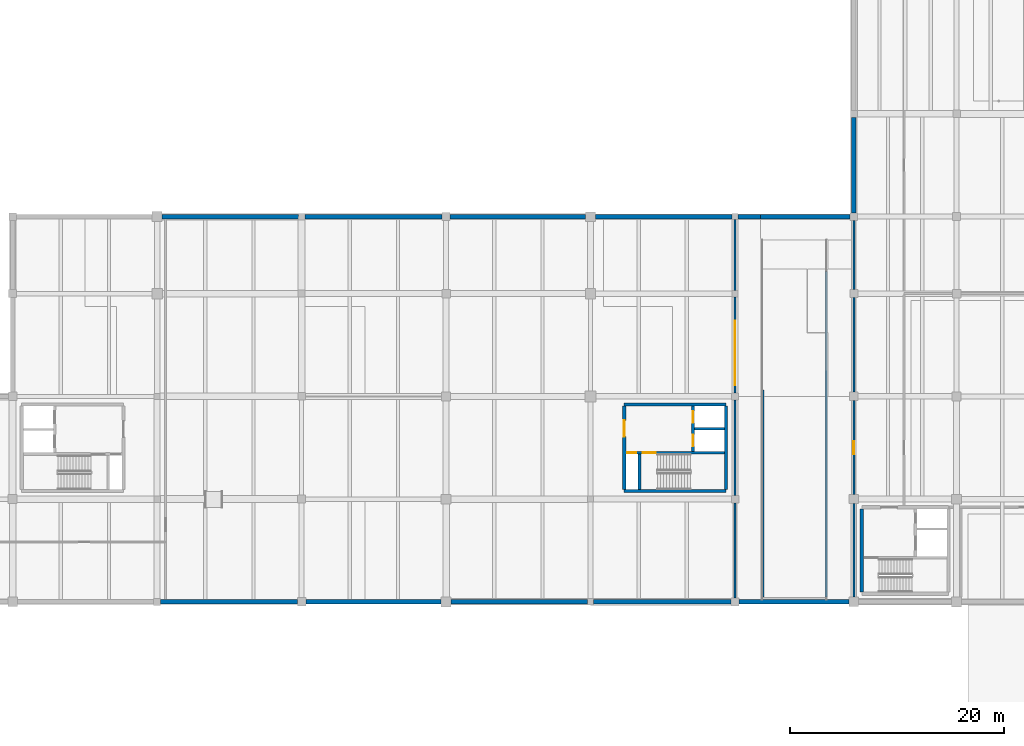
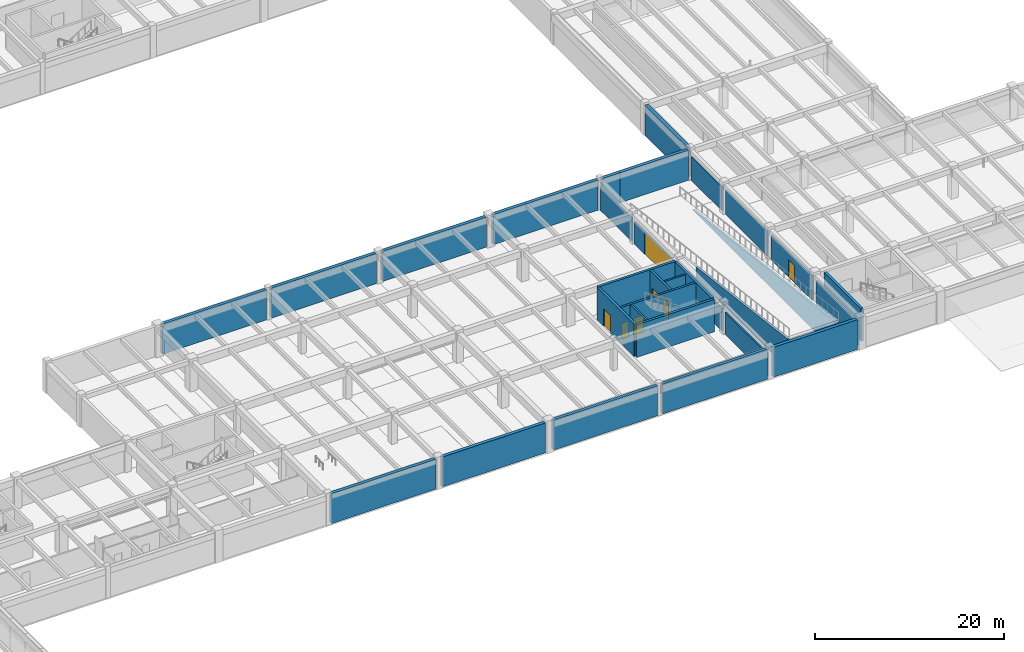
# One storey, part 11 of 28: 31 walls, 7 doors, 7 openings.
"""IFC4 building model written with IfcOpenShell, lengths in metres."""

from ifc_helpers import new_model, si_unit, direction, frame, frame_2d, origin, place, context, subcontext, project, spatial, polyline, rectangle, outline, extrude, material, layer, layer_set, type_object, element, fill, save


model = new_model("IFC4")

# Units and contexts
model_context = context("Model", 3, precision=1e-05, world=origin(), true_north=direction((0.0, 1.0)))
body_context = subcontext(model_context, "Body", "Model", "MODEL_VIEW")
ifc_project = project(units=[si_unit("LENGTHUNIT", "METRE"), si_unit("AREAUNIT", "SQUARE_METRE"), si_unit("VOLUMEUNIT", "CUBIC_METRE"), si_unit("PLANEANGLEUNIT", "RADIAN"), si_unit("MASSUNIT", "GRAM", prefix="KILO")], contexts=[model_context])

# Site, building, storey
site_placement = place(None, origin())
site = spatial("IfcSite", under=ifc_project, at=site_placement, CompositionType="ELEMENT")
building_placement = place(site_placement, origin())
building = spatial("IfcBuilding", under=site, at=building_placement, Name="Fikremerkos Civic Library", CompositionType="ELEMENT")
storey_placement = place(building_placement, frame((0.0, 0.0, -4.199951171875)))
storey = spatial("IfcBuildingStorey", under=building, at=storey_placement, Name="B01", CompositionType="ELEMENT", Elevation=-4.199951171875)

# Walls
ifc_material_1 = material(Name="Concrete C40/50", Category="concrete")
ifc_layer_1 = layer(ifc_material_1, 0.39990234375, Name="Concrete C40/50")
ifc_layer_set_1 = layer_set([ifc_layer_1], Name="Concrete C40/50")
wall_type_1 = type_object("IfcWallType", Name="Basement retaining wall BRW-02 400", PredefinedType="USERDEFINED", material=ifc_layer_set_1)
wall_1_placement = place(storey_placement, frame((60.173095703125, 48.0, 0.0), z_axis=(0.0, 0.0, 1.0), x_axis=(1.0, 0.0, 0.0)))
element("IfcWall", 1, at=wall_1_placement, inside=storey, type_object=wall_type_1, Name="Basement retaining wall BRW-02 B01 #110", ObjectType="RETAINING WALL", PredefinedType="USERDEFINED", context=body_context, shape_type="SweptSolid", body=[
    extrude(rectangle(XDim=12.72900390625, YDim=0.39990234375, at=frame_2d((6.364501953125, 0.0))), origin(), (0.0, 0.0, 1.0), 3.8798828125),
])
wall_2_placement = place(storey_placement, frame((73.498046875, 48.0, 0.0), z_axis=(0.0, 0.0, 1.0), x_axis=(1.0, 0.0, 0.0)))
element("IfcWall", 2, at=wall_2_placement, inside=storey, type_object=wall_type_1, Name="Basement retaining wall BRW-02 B01 #111", ObjectType="RETAINING WALL", PredefinedType="USERDEFINED", context=body_context, shape_type="SweptSolid", body=[
    extrude(rectangle(XDim=12.828857421875, YDim=0.39990234375, at=frame_2d((6.41455078125, 0.0))), origin(), (0.0, 0.0, 1.0), 3.8798828125),
])
wall_3_placement = place(storey_placement, frame((87.072998046875, 48.0, 0.0), z_axis=(0.0, 0.0, 1.0), x_axis=(1.0, 0.0, 0.0)))
element("IfcWall", 3, at=wall_3_placement, inside=storey, type_object=wall_type_1, Name="Basement retaining wall BRW-02 B01 #112", ObjectType="RETAINING WALL", PredefinedType="USERDEFINED", context=body_context, shape_type="SweptSolid", body=[
    extrude(rectangle(XDim=12.678955078125, YDim=0.39990234375, at=frame_2d((6.33935546875, 0.0))), origin(), (0.0, 0.0, 1.0), 3.8798828125),
])
wall_4_placement = place(storey_placement, frame((100.64794921875, 48.0, 0.0), z_axis=(0.0, 0.0, 1.0), x_axis=(1.0, 0.0, 0.0)))
element("IfcWall", 4, at=wall_4_placement, inside=storey, type_object=wall_type_1, Name="Basement retaining wall BRW-02 B01 #113", ObjectType="RETAINING WALL", PredefinedType="USERDEFINED", context=body_context, shape_type="SweptSolid", body=[
    extrude(rectangle(XDim=12.779052734375, YDim=0.39990234375, at=frame_2d((6.3896484375, 0.0))), origin(), (0.0, 0.0, 1.0), 3.8798828125),
])
wall_5_placement = place(storey_placement, frame((113.972900390625, 48.0, 0.0), z_axis=(0.0, 0.0, 1.0), x_axis=(1.0, 0.0, 0.0)))
element("IfcWall", 5, at=wall_5_placement, inside=storey, type_object=wall_type_1, Name="Basement retaining wall BRW-02 B01 #114", ObjectType="RETAINING WALL", PredefinedType="USERDEFINED", context=body_context, shape_type="SweptSolid", body=[
    extrude(rectangle(XDim=2.125, YDim=0.39990234375, at=frame_2d((1.0625, 0.0))), origin(), (0.0, 0.0, 1.0), 3.8798828125),
])
wall_6_placement = place(storey_placement, frame((116.10205078125, 48.0, 0.0), z_axis=(0.0, 0.0, 1.0), x_axis=(1.0, 0.0, 0.0)))
element("IfcWall", 6, at=wall_6_placement, inside=storey, type_object=wall_type_1, Name="Basement retaining wall BRW-02 B01 #115", ObjectType="RETAINING WALL", PredefinedType="USERDEFINED", context=body_context, shape_type="SweptSolid", body=[
    extrude(rectangle(XDim=8.349853515625, YDim=0.39990234375, at=frame_2d((4.1748046875, 0.0))), origin(), (0.0, 0.0, 1.0), 3.8798828125),
])
wall_7_placement = place(storey_placement, frame((124.800048828125, 48.347900390625, 0.0), z_axis=(0.0, 0.0, 1.0), x_axis=(0.0, 1.0, 0.0)))
element("IfcWall", 7, at=wall_7_placement, inside=storey, type_object=wall_type_1, Name="Basement retaining wall BRW-02 B01 #116", ObjectType="RETAINING WALL", PredefinedType="USERDEFINED", context=body_context, shape_type="SweptSolid", body=[
    extrude(rectangle(XDim=8.92919921875, YDim=0.39990234375, at=frame_2d((4.464599609375, 0.0))), origin(), (0.0, 0.0, 1.0), 3.919921875),
])
wall_8_placement = place(storey_placement, frame((124.35205078125, 12.0, 0.0), z_axis=(0.0, 0.0, 1.0), x_axis=(-1.0, 0.0, 0.0)))
element("IfcWall", 8, at=wall_8_placement, inside=storey, type_object=wall_type_1, Name="Basement retaining wall BRW-02 B01 #154", ObjectType="RETAINING WALL", PredefinedType="USERDEFINED", context=body_context, shape_type="SweptSolid", body=[
    extrude(rectangle(XDim=10.279052734375, YDim=0.39990234375, at=frame_2d((5.1396484375, 0.0))), origin(), (0.0, 0.0, 1.0), 3.85986328125),
])
wall_9_placement = place(storey_placement, frame((113.326904296875, 12.0, 0.0), z_axis=(0.0, 0.0, 1.0), x_axis=(-1.0, 0.0, 0.0)))
element("IfcWall", 9, at=wall_9_placement, inside=storey, type_object=wall_type_1, Name="Basement retaining wall BRW-02 B01 #155", ObjectType="RETAINING WALL", PredefinedType="USERDEFINED", context=body_context, shape_type="SweptSolid", body=[
    extrude(rectangle(XDim=12.828857421875, YDim=0.39990234375, at=frame_2d((6.41455078125, 0.0))), origin(), (0.0, 0.0, 1.0), 3.85986328125),
])
wall_10_placement = place(storey_placement, frame((99.902099609375, 12.0, 0.0), z_axis=(0.0, 0.0, 1.0), x_axis=(-1.0, 0.0, 0.0)))
element("IfcWall", 10, at=wall_10_placement, inside=storey, type_object=wall_type_1, Name="Basement retaining wall BRW-02 B01 #156", ObjectType="RETAINING WALL", PredefinedType="USERDEFINED", context=body_context, shape_type="SweptSolid", body=[
    extrude(rectangle(XDim=12.72900390625, YDim=0.39990234375, at=frame_2d((6.364501953125, 0.0))), origin(), (0.0, 0.0, 1.0), 3.85986328125),
])
wall_11_placement = place(storey_placement, frame((86.22705078125, 12.0, 0.0), z_axis=(0.0, 0.0, 1.0), x_axis=(-1.0, 0.0, 0.0)))
element("IfcWall", 11, at=wall_11_placement, inside=storey, type_object=wall_type_1, Name="Basement retaining wall BRW-02 B01 #157", ObjectType="RETAINING WALL", PredefinedType="USERDEFINED", context=body_context, shape_type="SweptSolid", body=[
    extrude(rectangle(XDim=12.629150390625, YDim=0.39990234375, at=frame_2d((6.314453125, 0.0))), origin(), (0.0, 0.0, 1.0), 3.85986328125),
])
wall_12_placement = place(storey_placement, frame((72.802001953125, 12.0, 0.0), z_axis=(0.0, 0.0, 1.0), x_axis=(-1.0, 0.0, 0.0)))
element("IfcWall", 12, at=wall_12_placement, inside=storey, type_object=wall_type_1, Name="Basement retaining wall BRW-02 B01 #158", ObjectType="RETAINING WALL", PredefinedType="USERDEFINED", context=body_context, shape_type="SweptSolid", body=[
    extrude(rectangle(XDim=12.779052734375, YDim=0.39990234375, at=frame_2d((6.3896484375, 0.0))), origin(), (0.0, 0.0, 1.0), 3.85986328125),
])
ifc_layer_2 = layer(ifc_material_1, 0.300048828125, Name="Concrete C40/50")
ifc_layer_set_2 = layer_set([ifc_layer_2], Name="Concrete C40/50")
wall_type_2 = type_object("IfcWallType", Name="Core shear wall CSW-01 300", PredefinedType="SHEAR", material=ifc_layer_set_2)
for number, where, z_axis, x_axis, name in (
    (13, (112.85009765625, 22.35009765625, 0.0), (0.0, 0.0, 1.0), (-1.0, 0.0, 0.0), "Core K2 south shear wall B01"),
    (14, (103.35009765625, 30.449951171875, 0.0), (0.0, 0.0, 1.0), (1.0, 0.0, 0.0), "Core K2 north shear wall B01"),
):
    element("IfcWall", number, at=place(storey_placement, frame(where, z_axis=z_axis, x_axis=x_axis)), inside=storey, type_object=wall_type_2, Name=name, PredefinedType="SHEAR", context=body_context, shape_type="SweptSolid", body=[
        extrude(rectangle(XDim=9.5, YDim=0.300048828125, at=frame_2d((4.75, 0.0))), origin(), (0.0, 0.0, 1.0), 4.199951171875),
    ])

# Wall, opening, door
wall_13_placement = place(storey_placement, frame((103.35009765625, 22.501953125, 0.0), z_axis=(0.0, 0.0, 1.0), x_axis=(0.0, 1.0, 0.0)))
wall_13 = element("IfcWall", 15, at=wall_13_placement, inside=storey, type_object=wall_type_2, Name="Core K2 west shear wall B01", PredefinedType="SHEAR", context=body_context, shape_type="SweptSolid", body=[
    extrude(rectangle(XDim=7.796142578125, YDim=0.300048828125, at=frame_2d((3.89794921875, 0.0))), origin(), (0.0, 0.0, 1.0), 4.199951171875),
])
opening_1_placement = place(wall_13_placement, frame((4.947998046875, 0.0, 0.0)))
opening_1 = element("IfcOpeningElement", 16, at=opening_1_placement, cuts=wall_13, Name="Opening D056", PredefinedType="OPENING", context=body_context, shape_type="SweptSolid", body=[
    extrude(rectangle(XDim=1.5, YDim=2.25, at=frame_2d((0.75, 1.125))), frame((0.0, 0.159912109375, 0.0), z_axis=(0.0, -1.0, 0.0), x_axis=(1.0, 0.0, 0.0)), (0.0, 0.0, 1.0), 0.320068359375),
])
ifc_material_2 = material(Name="Hardwood timber and acoustic glass", Category="wood")
door_type_1 = type_object("IfcDoorType", Name="Pedestrian door DT-05 1500x2250", OperationType="NOTDEFINED", PredefinedType="DOOR", material=ifc_material_2)
door_1_placement = place(opening_1_placement, origin())
door_1 = element("IfcDoor", 17, at=door_1_placement, inside=storey, type_object=door_type_1, Name="Core K2 lobby fire door D056 B01", OperationType="SINGLE_SWING_RIGHT", OverallHeight=2.25, OverallWidth=1.5, PredefinedType="DOOR", context=body_context, shape_type="SweptSolid", body=[
    extrude(rectangle(XDim=1.5, YDim=2.25, at=frame_2d((0.75, 1.125))), frame((0.0, 0.032470703125, 0.0), z_axis=(0.0, -1.0, 0.0), x_axis=(1.0, 0.0, 0.0)), (0.0, 0.0, 1.0), 0.06494140625),
])
fill(opening_1, door_1)

# Walls
wall_14_placement = place(storey_placement, frame((112.85009765625, 30.298095703125, 0.0), z_axis=(0.0, 0.0, 1.0), x_axis=(0.0, -1.0, 0.0)))
element("IfcWall", 18, at=wall_14_placement, inside=storey, type_object=wall_type_2, Name="Core K2 east shear wall B01", PredefinedType="SHEAR", context=body_context, shape_type="SweptSolid", body=[
    extrude(rectangle(XDim=7.796142578125, YDim=0.300048828125, at=frame_2d((3.89794921875, 0.0))), origin(), (0.0, 0.0, 1.0), 4.199951171875),
])
wall_15_placement = place(storey_placement, frame((125.550048828125, 12.902099609375, 0.0), z_axis=(0.0, 0.0, 1.0), x_axis=(0.0, 1.0, 0.0)))
element("IfcWall", 19, at=wall_15_placement, inside=storey, type_object=wall_type_2, Name="Core K4 west shear wall B01", PredefinedType="SHEAR", context=body_context, shape_type="SweptSolid", body=[
    extrude(rectangle(XDim=7.7958984375, YDim=0.300048828125, at=frame_2d((3.89794921875, 0.0))), origin(), (0.0, 0.0, 1.0), 4.199951171875),
])
ifc_layer_3 = layer(ifc_material_1, 0.260009765625, Name="Concrete C40/50")
ifc_layer_set_3 = layer_set([ifc_layer_3], Name="Concrete C40/50")
wall_type_3 = type_object("IfcWallType", Name="Core shear wall CSW-02 260", PredefinedType="SHEAR", material=ifc_layer_set_3)
wall_16_placement = place(storey_placement, frame((116.280029296875, 12.449951171875, 0.0), z_axis=(0.0, 0.0, 1.0), x_axis=(0.0, 1.0, 0.0)))
element("IfcWall", 20, at=wall_16_placement, inside=storey, type_object=wall_type_3, Name="Vehicle ramp VR01 west structural support wall B01", PredefinedType="SHEAR", context=body_context, shape_type="SweptSolid", body=[
    extrude(outline(polyline([(0.0, 0.0), (19.35009765625, 0.0), (19.35009765625, 1.429931640625), (0.0, 3.849853515625), (0.0, 0.0)])), frame((0.0, 0.1298828125, 0.0), z_axis=(0.0, -1.0, 0.0), x_axis=(1.0, 0.0, 0.0)), (0.0, 0.0, 1.0), 0.260009765625),
])
wall_17_placement = place(storey_placement, frame((122.219970703125, 12.449951171875, 0.0), z_axis=(0.0, 0.0, 1.0), x_axis=(0.0, 1.0, 0.0)))
element("IfcWall", 21, at=wall_17_placement, inside=storey, type_object=wall_type_3, Name="Vehicle ramp VR01 east structural support wall B01", PredefinedType="SHEAR", context=body_context, shape_type="SweptSolid", body=[
    extrude(outline(polyline([(0.0, 0.0), (30.400146484375, 0.0), (30.39990234375, 0.050048828125), (0.0, 3.849853515625), (0.0, 0.0)])), frame((0.0, 0.1298828125, 0.0), z_axis=(0.0, -1.0, 0.0), x_axis=(1.0, 0.0, 0.0)), (0.0, 0.0, 1.0), 0.260009765625),
])

# Wall, openings, doors
wall_18_placement = place(storey_placement, frame((103.501953125, 25.929931640625, 0.0), z_axis=(0.0, 0.0, 1.0), x_axis=(1.0, 0.0, 0.0)))
wall_18 = element("IfcWall", 22, at=wall_18_placement, inside=storey, type_object=wall_type_3, Name="Core K2 stair compartment wall B01", PredefinedType="SHEAR", context=body_context, shape_type="SweptSolid", body=[
    extrude(rectangle(XDim=9.196044921875, YDim=0.260009765625, at=frame_2d((4.59814453125, 0.0))), origin(), (0.0, 0.0, 1.0), 4.199951171875),
])
opening_2_placement = place(wall_18_placement, frame((1.597900390625, 0.0, 0.0)))
opening_2 = element("IfcOpeningElement", 23, at=opening_2_placement, cuts=wall_18, Name="Opening D057", PredefinedType="OPENING", context=body_context, shape_type="SweptSolid", body=[
    extrude(rectangle(XDim=1.199951171875, YDim=2.199951171875, at=frame_2d((0.60009765625, 1.10009765625))), frame((0.0, 0.139892578125, 0.0), z_axis=(0.0, -1.0, 0.0), x_axis=(1.0, 0.0, 0.0)), (0.0, 0.0, 1.0), 0.280029296875),
])
opening_3_placement = place(wall_18_placement, frame((0.14306640625, 0.0, 0.0)))
opening_3 = element("IfcOpeningElement", 24, at=opening_3_placement, cuts=wall_18, Name="Opening D058", PredefinedType="OPENING", context=body_context, shape_type="SweptSolid", body=[
    extrude(rectangle(XDim=0.85009765625, YDim=2.050048828125, at=frame_2d((0.425048828125, 1.02490234375))), frame((0.0, 0.139892578125, 0.0), z_axis=(0.0, -1.0, 0.0), x_axis=(1.0, 0.0, 0.0)), (0.0, 0.0, 1.0), 0.280029296875),
])
door_type_2 = type_object("IfcDoorType", Name="Pedestrian door DT-06 1200x2200", OperationType="NOTDEFINED", PredefinedType="DOOR", material=ifc_material_2)
door_2_placement = place(opening_2_placement, origin())
door_2 = element("IfcDoor", 25, at=door_2_placement, inside=storey, type_object=door_type_2, Name="Core K2 stair fire door D057 B01", OperationType="SINGLE_SWING_LEFT", OverallHeight=2.199951171875, OverallWidth=1.199951171875, PredefinedType="DOOR", context=body_context, shape_type="SweptSolid", body=[
    extrude(rectangle(XDim=1.199951171875, YDim=2.199951171875, at=frame_2d((0.60009765625, 1.10009765625))), frame((0.0, 0.032470703125, 0.0), z_axis=(0.0, -1.0, 0.0), x_axis=(1.0, 0.0, 0.0)), (0.0, 0.0, 1.0), 0.06494140625),
])
fill(opening_2, door_2)
door_type_3 = type_object("IfcDoorType", Name="Pedestrian door DT-08 850x2050", OperationType="NOTDEFINED", PredefinedType="DOOR", material=ifc_material_2)
door_3_placement = place(opening_3_placement, origin())
door_3 = element("IfcDoor", 26, at=door_3_placement, inside=storey, type_object=door_type_3, Name="Core K2 riser access fire door D058 B01", OperationType="SINGLE_SWING_LEFT", OverallHeight=2.050048828125, OverallWidth=0.85009765625, PredefinedType="DOOR", context=body_context, shape_type="SweptSolid", body=[
    extrude(rectangle(XDim=0.85009765625, YDim=2.050048828125, at=frame_2d((0.425048828125, 1.02490234375))), frame((0.0, 0.032470703125, 0.0), z_axis=(0.0, -1.0, 0.0), x_axis=(1.0, 0.0, 0.0)), (0.0, 0.0, 1.0), 0.06494140625),
])
fill(opening_3, door_3)

# Wall
wall_19_placement = place(storey_placement, frame((104.77001953125, 22.501953125, 0.0), z_axis=(0.0, 0.0, 1.0), x_axis=(0.0, 1.0, 0.0)))
element("IfcWall", 27, at=wall_19_placement, inside=storey, type_object=wall_type_3, Name="Core K2 stair-riser shear wall B01", PredefinedType="SHEAR", context=body_context, shape_type="SweptSolid", body=[
    extrude(rectangle(XDim=3.296142578125, YDim=0.260009765625, at=frame_2d((1.64794921875, 0.0))), origin(), (0.0, 0.0, 1.0), 4.199951171875),
])

# Wall, openings, doors
wall_20_placement = place(storey_placement, frame((109.77001953125, 26.06201171875, 0.0), z_axis=(0.0, 0.0, 1.0), x_axis=(0.0, 1.0, 0.0)))
wall_20 = element("IfcWall", 28, at=wall_20_placement, inside=storey, type_object=wall_type_3, Name="Core K2 lift shaft front wall B01", PredefinedType="SHEAR", context=body_context, shape_type="SweptSolid", body=[
    extrude(rectangle(XDim=4.236083984375, YDim=0.260009765625, at=frame_2d((2.1181640625, 0.0))), origin(), (0.0, 0.0, 1.0), 4.199951171875),
])
opening_4_placement = place(wall_20_placement, frame((0.468017578125, 0.0, 0.0)))
opening_4 = element("IfcOpeningElement", 29, at=opening_4_placement, cuts=wall_20, Name="Opening LD19", PredefinedType="OPENING", context=body_context, shape_type="SweptSolid", body=[
    extrude(rectangle(XDim=1.10009765625, YDim=2.14990234375, at=frame_2d((0.550048828125, 1.074951171875))), frame((0.0, 0.139892578125, 0.0), z_axis=(0.0, -1.0, 0.0), x_axis=(1.0, 0.0, 0.0)), (0.0, 0.0, 1.0), 0.280029296875),
])
opening_5_placement = place(wall_20_placement, frame((2.66796875, 0.0, 0.0)))
opening_5 = element("IfcOpeningElement", 30, at=opening_5_placement, cuts=wall_20, Name="Opening LD20", PredefinedType="OPENING", context=body_context, shape_type="SweptSolid", body=[
    extrude(rectangle(XDim=1.10009765625, YDim=2.14990234375, at=frame_2d((0.550048828125, 1.074951171875))), frame((0.0, 0.139892578125, 0.0), z_axis=(0.0, -1.0, 0.0), x_axis=(1.0, 0.0, 0.0)), (0.0, 0.0, 1.0), 0.280029296875),
])
ifc_material_3 = material(Name="Brushed stainless steel", Category="steel")
door_type_4 = type_object("IfcDoorType", Name="Lift landing door LDT-01 1100x2150", OperationType="NOTDEFINED", PredefinedType="DOOR", material=ifc_material_3)
door_4_placement = place(opening_4_placement, origin())
door_4 = element("IfcDoor", 31, at=door_4_placement, inside=storey, type_object=door_type_4, Name="Lift LF03 sliding landing door LD19 B01", OperationType="SLIDING_TO_LEFT", OverallHeight=2.14990234375, OverallWidth=1.10009765625, PredefinedType="DOOR", context=body_context, shape_type="SweptSolid", body=[
    extrude(rectangle(XDim=1.10009765625, YDim=2.14990234375, at=frame_2d((0.550048828125, 1.074951171875))), frame((0.0, 0.032470703125, 0.0), z_axis=(0.0, -1.0, 0.0), x_axis=(1.0, 0.0, 0.0)), (0.0, 0.0, 1.0), 0.06494140625),
])
fill(opening_4, door_4)
door_5_placement = place(opening_5_placement, origin())
door_5 = element("IfcDoor", 32, at=door_5_placement, inside=storey, type_object=door_type_4, Name="Lift LF04 sliding landing door LD20 B01", OperationType="SLIDING_TO_LEFT", OverallHeight=2.14990234375, OverallWidth=1.10009765625, PredefinedType="DOOR", context=body_context, shape_type="SweptSolid", body=[
    extrude(rectangle(XDim=1.10009765625, YDim=2.14990234375, at=frame_2d((0.550048828125, 1.074951171875))), frame((0.0, 0.032470703125, 0.0), z_axis=(0.0, -1.0, 0.0), x_axis=(1.0, 0.0, 0.0)), (0.0, 0.0, 1.0), 0.06494140625),
])
fill(opening_5, door_5)

# Walls
ifc_material_4 = material(Name="Acoustic concrete blockwork", Category="masonry")
ifc_layer_4 = layer(ifc_material_4, 0.18994140625, Name="Acoustic concrete blockwork")
ifc_layer_set_4 = layer_set([ifc_layer_4], Name="Acoustic concrete blockwork")
wall_type_4 = type_object("IfcWallType", Name="Interior partition wall IPW-01 190", PredefinedType="PARTITIONING", material=ifc_layer_set_4)
wall_21_placement = place(storey_placement, frame((113.699951171875, 12.3779296875, 0.0), z_axis=(0.0, 0.0, 1.0), x_axis=(0.0, 1.0, 0.0)))
element("IfcWall", 33, at=wall_21_placement, inside=storey, type_object=wall_type_4, Name="Interior wall IPW-01 B01 #57", PredefinedType="PARTITIONING", context=body_context, shape_type="SweptSolid", body=[
    extrude(rectangle(XDim=8.869140625, YDim=0.18994140625, at=frame_2d((4.4345703125, 0.0))), origin(), (0.0, 0.0, 1.0), 2.849853515625),
])
wall_22_placement = place(storey_placement, frame((113.699951171875, 21.952880859375, 0.0), z_axis=(0.0, 0.0, 1.0), x_axis=(0.0, 1.0, 0.0)))
element("IfcWall", 34, at=wall_22_placement, inside=storey, type_object=wall_type_4, Name="Interior wall IPW-01 B01 #58", PredefinedType="PARTITIONING", context=body_context, shape_type="SweptSolid", body=[
    extrude(rectangle(XDim=8.919189453125, YDim=0.18994140625, at=frame_2d((4.45947265625, 0.0))), origin(), (0.0, 0.0, 1.0), 2.89990234375),
])

# Wall, opening, door
wall_23_placement = place(storey_placement, frame((113.699951171875, 31.528076171875, 0.0), z_axis=(0.0, 0.0, 1.0), x_axis=(0.0, 1.0, 0.0)))
wall_23 = element("IfcWall", 35, at=wall_23_placement, inside=storey, type_object=wall_type_4, Name="Interior wall IPW-01 B01 #59", PredefinedType="PARTITIONING", context=body_context, shape_type="SweptSolid", body=[
    extrude(rectangle(XDim=8.968994140625, YDim=0.18994140625, at=frame_2d((4.484375, 0.0))), origin(), (0.0, 0.0, 1.0), 2.89990234375),
])
opening_6_placement = place(wall_23_placement, frame((0.721923828125, 0.0, 0.0)))
opening_6 = element("IfcOpeningElement", 36, at=opening_6_placement, cuts=wall_23, Name="Opening VG02", PredefinedType="OPENING", context=body_context, shape_type="SweptSolid", body=[
    extrude(rectangle(XDim=6.0, YDim=2.85009765625, at=frame_2d((3.0, 1.425048828125))), frame((0.0, 0.10498046875, 0.0), z_axis=(0.0, -1.0, 0.0), x_axis=(1.0, 0.0, 0.0)), (0.0, 0.0, 1.0), 0.2099609375),
])
ifc_material_5 = material(Name="Galvanized insulated steel lath", Category="steel")
door_type_5 = type_object("IfcDoorType", Name="Service roller gate VG-02 6000x2850", OperationType="ROLLINGUP", PredefinedType="GATE", material=ifc_material_5)
door_6_placement = place(opening_6_placement, origin())
door_6 = element("IfcDoor", 37, at=door_6_placement, inside=storey, type_object=door_type_5, Name="Basement B01 car park entry motorized roller shutter gate VG02", OperationType="ROLLINGUP", OverallHeight=2.85009765625, OverallWidth=6.0, PredefinedType="GATE", context=body_context, shape_type="SweptSolid", body=[
    extrude(rectangle(XDim=6.0, YDim=2.85009765625, at=frame_2d((3.0, 1.425048828125))), frame((0.0, 0.032470703125, 0.0), z_axis=(0.0, -1.0, 0.0), x_axis=(1.0, 0.0, 0.0)), (0.0, 0.0, 1.0), 0.06494140625),
])
fill(opening_6, door_6)

# Walls
wall_24_placement = place(storey_placement, frame((113.699951171875, 41.10302734375, 0.0), z_axis=(0.0, 0.0, 1.0), x_axis=(0.0, 1.0, 0.0)))
element("IfcWall", 38, at=wall_24_placement, inside=storey, type_object=wall_type_4, Name="Interior wall IPW-01 B01 #60", PredefinedType="PARTITIONING", context=body_context, shape_type="SweptSolid", body=[
    extrude(rectangle(XDim=6.618896484375, YDim=0.18994140625, at=frame_2d((3.3095703125, 0.0))), origin(), (0.0, 0.0, 1.0), 2.969970703125),
])
wall_25_placement = place(storey_placement, frame((124.800048828125, 12.452880859375, 0.0), z_axis=(0.0, 0.0, 1.0), x_axis=(0.0, 1.0, 0.0)))
element("IfcWall", 39, at=wall_25_placement, inside=storey, type_object=wall_type_4, Name="Interior wall IPW-01 B01 #61", PredefinedType="PARTITIONING", context=body_context, shape_type="SweptSolid", body=[
    extrude(rectangle(XDim=8.71923828125, YDim=0.18994140625, at=frame_2d((4.359619140625, 0.0))), origin(), (0.0, 0.0, 1.0), 3.099853515625),
])

# Wall, opening, door
wall_26_placement = place(storey_placement, frame((124.800048828125, 22.028076171875, 0.0), z_axis=(0.0, 0.0, 1.0), x_axis=(0.0, 1.0, 0.0)))
wall_26 = element("IfcWall", 40, at=wall_26_placement, inside=storey, type_object=wall_type_4, Name="Interior wall IPW-01 B01 #62", PredefinedType="PARTITIONING", context=body_context, shape_type="SweptSolid", body=[
    extrude(rectangle(XDim=8.76904296875, YDim=0.18994140625, at=frame_2d((4.384521484375, 0.0))), origin(), (0.0, 0.0, 1.0), 3.14990234375),
])
opening_7_placement = place(wall_26_placement, frame((3.77197265625, 0.0, 0.0)))
opening_7 = element("IfcOpeningElement", 41, at=opening_7_placement, cuts=wall_26, Name="Opening D154", PredefinedType="OPENING", context=body_context, shape_type="SweptSolid", body=[
    extrude(rectangle(XDim=1.199951171875, YDim=2.199951171875, at=frame_2d((0.60009765625, 1.10009765625))), frame((0.0, 0.10498046875, 0.0), z_axis=(0.0, -1.0, 0.0), x_axis=(1.0, 0.0, 0.0)), (0.0, 0.0, 1.0), 0.2099609375),
])
door_7_placement = place(opening_7_placement, origin())
door_7 = element("IfcDoor", 42, at=door_7_placement, inside=storey, type_object=door_type_2, Name="Interior door D154 B01", OperationType="SINGLE_SWING_RIGHT", OverallHeight=2.199951171875, OverallWidth=1.199951171875, PredefinedType="DOOR", context=body_context, shape_type="SweptSolid", body=[
    extrude(rectangle(XDim=1.199951171875, YDim=2.199951171875, at=frame_2d((0.60009765625, 1.10009765625))), frame((0.0, 0.032470703125, 0.0), z_axis=(0.0, -1.0, 0.0), x_axis=(1.0, 0.0, 0.0)), (0.0, 0.0, 1.0), 0.06494140625),
])
fill(opening_7, door_7)

# Walls
wall_27_placement = place(storey_placement, frame((124.800048828125, 31.60302734375, 0.0), z_axis=(0.0, 0.0, 1.0), x_axis=(0.0, 1.0, 0.0)))
element("IfcWall", 43, at=wall_27_placement, inside=storey, type_object=wall_type_4, Name="Interior wall IPW-01 B01 #63", PredefinedType="PARTITIONING", context=body_context, shape_type="SweptSolid", body=[
    extrude(rectangle(XDim=8.819091796875, YDim=0.18994140625, at=frame_2d((4.40966796875, 0.0))), origin(), (0.0, 0.0, 1.0), 3.119873046875),
])
wall_28_placement = place(storey_placement, frame((124.800048828125, 41.177978515625, 0.0), z_axis=(0.0, 0.0, 1.0), x_axis=(0.0, 1.0, 0.0)))
element("IfcWall", 44, at=wall_28_placement, inside=storey, type_object=wall_type_4, Name="Interior wall IPW-01 B01 #64", PredefinedType="PARTITIONING", context=body_context, shape_type="SweptSolid", body=[
    extrude(rectangle(XDim=6.468994140625, YDim=0.18994140625, at=frame_2d((3.234375, 0.0))), origin(), (0.0, 0.0, 1.0), 3.06005859375),
])
ifc_material_6 = material(Name="Concrete C35/45", Category="concrete")
ifc_layer_5 = layer(ifc_material_6, 0.199951171875, Name="Concrete C35/45")
ifc_layer_set_5 = layer_set([ifc_layer_5], Name="Concrete C35/45")
wall_type_5 = type_object("IfcWallType", Name="Service duct wall SDW-01 200", PredefinedType="PLUMBINGWALL", material=ifc_layer_set_5)
wall_29_placement = place(storey_placement, frame((109.902099609375, 28.179931640625, 0.0), z_axis=(0.0, 0.0, 1.0), x_axis=(1.0, 0.0, 0.0)))
element("IfcWall", 45, at=wall_29_placement, inside=storey, type_object=wall_type_5, Name="Core K2 inter-lift shaft wall B01", PredefinedType="PLUMBINGWALL", context=body_context, shape_type="SweptSolid", body=[
    extrude(rectangle(XDim=2.7958984375, YDim=0.199951171875, at=frame_2d((1.39794921875, 0.0))), origin(), (0.0, 0.0, 1.0), 3.85986328125),
])

save(model, "model.ifc")
